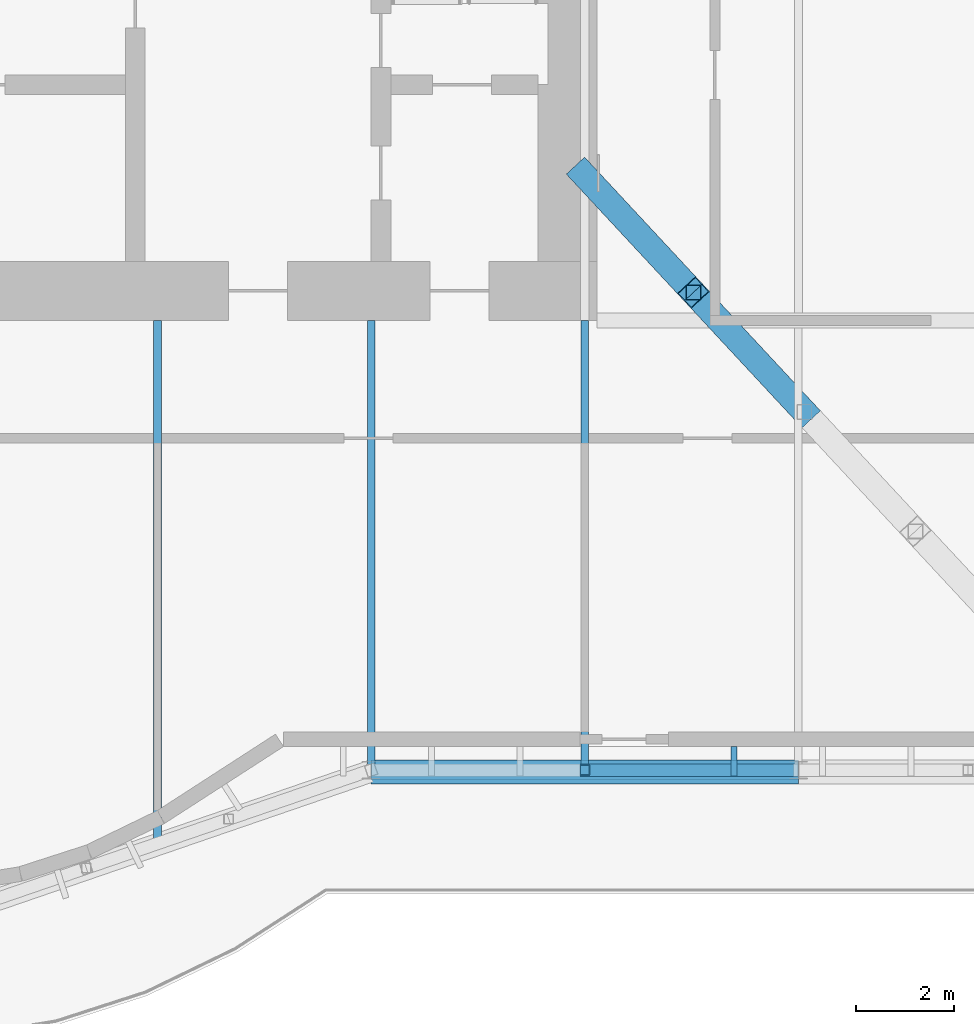
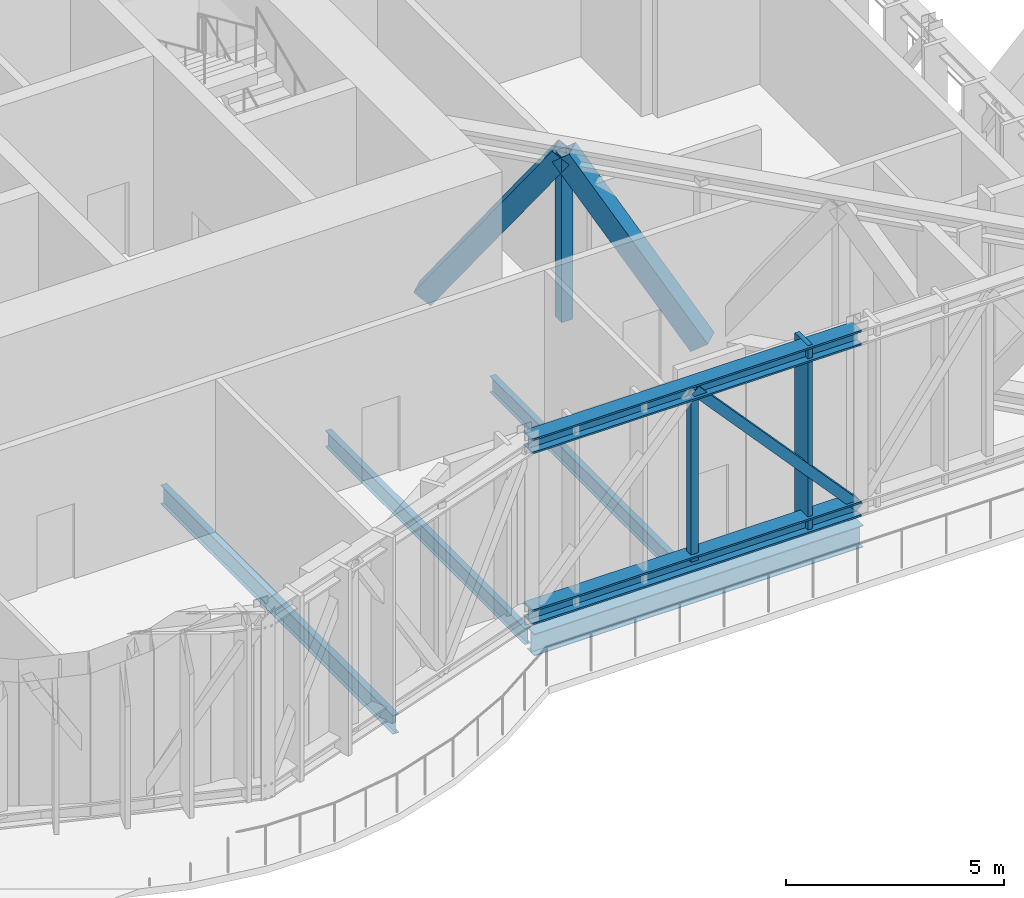
# One storey, part 7 of 20: 8 members, 4 beams, 1 element without a shape of its own.
"""IFC4 building model written with IfcOpenShell, lengths in metres."""

import ifcopenshell
import ifcopenshell.guid

model = None  # the IFC model being written
_history = None  # IfcOwnerHistory: only IFC2X3 demands one
_inside = {}  # id of a spatial element -> (the spatial element, [elements in it])
_under = {}  # id of a project, library or spatial element -> (it, [spatial elements below it])
_declared = {}  # id of a project -> (the project, [libraries it declares])
_typed = {}  # id of a type object -> (the type object, [elements of that type])
_made_of = {}  # id of a material, layer set ... -> (it, [elements and type objects made of it])


def new_model(schema):
    """Start an empty IFC model of exactly this schema.

    Asked for "IFC4X3", IfcOpenShell would pick the latest addendum, in which some entities
    have other attributes; the version numbers below select the first issue.
    IFC2X3 requires an IfcOwnerHistory on every rooted entity: one is made here for all.
    """
    global model, _history
    if schema == "IFC4X3":
        model = ifcopenshell.file(schema_version=(4, 3, 0, 0))
    else:
        model = ifcopenshell.file(schema=schema)
    _inside.clear()
    _under.clear()
    _declared.clear()
    _typed.clear()
    _made_of.clear()
    _history = None
    if model.schema == "IFC2X3":
        org = make("IfcOrganization", Name="unknown")
        user = make(
            "IfcPersonAndOrganization",
            ThePerson=make("IfcPerson", FamilyName="unknown"),
            TheOrganization=org,
        )
        app = make(
            "IfcApplication",
            ApplicationDeveloper=org,
            Version="unknown",
            ApplicationFullName="unknown",
            ApplicationIdentifier="unknown",
        )
        _history = make(
            "IfcOwnerHistory",
            OwningUser=user,
            OwningApplication=app,
            ChangeAction="ADDED",
            CreationDate=0,
        )
    return model


def make(cls, **values):
    """One entity of the class cls with the attributes given. An attribute that is None is left unset."""
    return model.create_entity(
        cls, **{name: value for name, value in values.items() if value is not None}
    )


def rooted(cls, **values):
    """An entity with a GlobalId (a new one), such as an element, a storey or a relation."""
    return make(cls, GlobalId=ifcopenshell.guid.new(), OwnerHistory=_history, **values)


def si_unit(unit_type, name, prefix=None):
    """IfcSIUnit, for example si_unit("LENGTHUNIT", "METRE", prefix="MILLI")."""
    return make("IfcSIUnit", UnitType=unit_type, Prefix=prefix, Name=name)


def assignment(units):
    """IfcUnitAssignment: the units of a project."""
    return None if units is None else make("IfcUnitAssignment", Units=units)


def point(xyz):
    """IfcCartesianPoint."""
    return None if xyz is None else make("IfcCartesianPoint", Coordinates=xyz)


def direction(xyz):
    """IfcDirection."""
    return None if xyz is None else make("IfcDirection", DirectionRatios=xyz)


def frame(location, z_axis=None, x_axis=None):
    """IfcAxis2Placement3D, a coordinate frame: its origin and axes. An axis left out is left unset."""
    return make(
        "IfcAxis2Placement3D",
        Location=point(location),
        Axis=direction(z_axis),
        RefDirection=direction(x_axis),
    )


def frame_2d(location, x_axis=None):
    """IfcAxis2Placement2D, a coordinate frame in the plane: its origin and x axis."""
    return make(
        "IfcAxis2Placement2D", Location=point(location), RefDirection=direction(x_axis)
    )


def origin():
    """The frame at (0, 0, 0) with its axes left unset."""
    return frame((0.0, 0.0, 0.0))


def origin_2d():
    """The frame at (0, 0) in the plane with its x axis left unset."""
    return frame_2d((0.0, 0.0))


def place(relative_to, where):
    """IfcLocalPlacement: puts the frame where relative to a parent placement (None: the world)."""
    return make(
        "IfcLocalPlacement", PlacementRelTo=relative_to, RelativePlacement=where
    )


def context(
    kind, dimensions, precision=None, world=None, true_north=None, identifier=None
):
    """IfcGeometricRepresentationContext, for example the 3D "Model" context."""
    return make(
        "IfcGeometricRepresentationContext",
        ContextIdentifier=identifier,
        ContextType=kind,
        CoordinateSpaceDimension=dimensions,
        Precision=precision,
        WorldCoordinateSystem=world,
        TrueNorth=true_north,
    )


def subcontext(parent, identifier, kind, view, scale=None):
    """IfcGeometricRepresentationSubContext, for example "Body" below "Model"."""
    return make(
        "IfcGeometricRepresentationSubContext",
        ContextIdentifier=identifier,
        ContextType=kind,
        ParentContext=parent,
        TargetScale=scale,
        TargetView=view,
    )


def project(units=None, contexts=None):
    """IfcProject with its units and contexts."""
    return rooted(
        "IfcProject",
        Name="project",
        RepresentationContexts=contexts,
        UnitsInContext=assignment(units),
    )


def spatial(cls, under=None, at=None, **own):
    """A site, building, storey or space (cls), placed at a placement, below another one or the project."""
    s = rooted(cls, ObjectPlacement=at, **own)
    if under is not None:
        _under.setdefault(under.id(), (under, []))[1].append(s)
    return s


def profile(cls, at=None, kind="AREA", **sizes):
    """A parametric profile (cls). Its sizes go by their IFC names, for example OverallWidth=200.0."""
    return make(cls, ProfileType=kind, Position=at, **sizes)


def rectangle(**sizes):
    """IfcRectangleProfileDef."""
    return profile("IfcRectangleProfileDef", **sizes)


def hollow_rectangle(**sizes):
    """IfcRectangleHollowProfileDef."""
    return profile("IfcRectangleHollowProfileDef", **sizes)


def i_section(**sizes):
    """IfcIShapeProfileDef."""
    return profile("IfcIShapeProfileDef", **sizes)


def extrude(swept, where, along, depth):
    """IfcExtrudedAreaSolid: the profile swept, set in the frame where, extruded along a direction by depth."""
    return make(
        "IfcExtrudedAreaSolid",
        SweptArea=swept,
        Position=where,
        ExtrudedDirection=direction(along),
        Depth=depth,
    )


def shape(context_of_items, identifier, shape_type, items):
    """IfcShapeRepresentation: the items that make up one representation, for example the "Body"."""
    return make(
        "IfcShapeRepresentation",
        ContextOfItems=context_of_items,
        RepresentationIdentifier=identifier,
        RepresentationType=shape_type,
        Items=items,
    )


def material(Name=None, Category=None):
    """IfcMaterial."""
    return make("IfcMaterial", Name=Name, Category=Category)


def material_profile(
    of_material, cross_section, Name=None, Category=None, Priority=None
):
    """IfcMaterialProfile: a cross section and its material."""
    return make(
        "IfcMaterialProfile",
        Name=Name,
        Material=of_material,
        Profile=cross_section,
        Priority=Priority,
        Category=Category,
    )


def profile_set(profiles, Name=None, composite=None):
    """IfcMaterialProfileSet."""
    return make(
        "IfcMaterialProfileSet",
        Name=Name,
        MaterialProfiles=profiles,
        CompositeProfile=composite,
    )


def made_of(thing, what):
    """Note that an element or type object is made of a material, layer set ...; save() writes the relation."""
    if what is not None:
        _made_of.setdefault(what.id(), (what, []))[1].append(thing)
    return thing


def type_object(cls, material=None, **own):
    """A type object (cls), such as IfcWallType, which elements share."""
    return made_of(rooted(cls, **own), material)


def element(
    cls,
    number,
    at=None,
    inside=None,
    cuts=None,
    type_object=None,
    material=None,
    context=None,
    identifier="Body",
    shape_type=None,
    held_by="IfcProductDefinitionShape",
    body=None,
    shapes=None,
    **own,
):
    """One element of the class cls, such as IfcWall. Its Tag is "e" and its number.

    at: its placement. inside: the storey or other place that contains it. cuts: it is an
    opening in that element (IfcRelVoidsElement). A single representation is given by context,
    identifier, shape_type and body (its items); several are given by shapes. held_by: the class
    of the entity that holds the representations. save() writes the other relations.
    """
    e = rooted(cls, Tag="e%d" % number, ObjectPlacement=at, **own)
    if body is not None:
        shapes = [shape(context, identifier, shape_type, body)]
    if shapes is not None:
        e.Representation = make(held_by, Representations=shapes)
    if inside is not None:
        _inside.setdefault(inside.id(), (inside, []))[1].append(e)
    if cuts is not None:
        rooted(
            "IfcRelVoidsElement", RelatingBuildingElement=cuts, RelatedOpeningElement=e
        )
    if type_object is not None:
        _typed.setdefault(type_object.id(), (type_object, []))[1].append(e)
    return made_of(e, material)


def aggregate(whole, parts):
    """IfcRelAggregates: a whole, such as a stair, and the parts it consists of."""
    return rooted("IfcRelAggregates", RelatingObject=whole, RelatedObjects=parts)


def save(model, path):
    """Write the relations noted so far, then the file.

    IfcRelAggregates (storeys below a building ...), IfcRelContainedInSpatialStructure (elements
    in a storey), IfcRelDefinesByType, IfcRelAssociatesMaterial and IfcRelDeclares: one each for
    every whole, place, type object, material and project.
    """
    for whole, parts in _under.values():
        aggregate(whole, parts)
    for where, things in _inside.values():
        rooted(
            "IfcRelContainedInSpatialStructure",
            RelatedElements=things,
            RelatingStructure=where,
        )
    for kind, things in _typed.values():
        rooted("IfcRelDefinesByType", RelatedObjects=things, RelatingType=kind)
    for what, things in _made_of.values():
        rooted("IfcRelAssociatesMaterial", RelatedObjects=things, RelatingMaterial=what)
    for by, libraries in _declared.values():
        rooted("IfcRelDeclares", RelatingContext=by, RelatedDefinitions=libraries)
    model.write(path)


model = new_model("IFC4")

# Units and contexts
model_context = context("Model", 3, precision=1e-05, world=origin(), true_north=direction((0.0, 1.0)))
body_context = subcontext(model_context, "Body", "Model", "MODEL_VIEW")
ifc_project = project(units=[si_unit("LENGTHUNIT", "METRE"), si_unit("AREAUNIT", "SQUARE_METRE"), si_unit("VOLUMEUNIT", "CUBIC_METRE"), si_unit("PLANEANGLEUNIT", "RADIAN"), si_unit("MASSUNIT", "GRAM", prefix="KILO")], contexts=[model_context])

# Site, building, storey
site_placement = place(None, origin())
site = spatial("IfcSite", under=ifc_project, at=site_placement, CompositionType="ELEMENT")
building_placement = place(site_placement, origin())
building = spatial("IfcBuilding", under=site, at=building_placement, Name="Bicima Exchange Tower", CompositionType="ELEMENT")
storey_placement = place(building_placement, frame((0.0, 0.0, 342.5)))
storey = spatial("IfcBuildingStorey", under=building, at=storey_placement, Name="L77", CompositionType="ELEMENT", Elevation=342.5)

# Curtain wall, member
ifc_material_1 = material(Name="Anodised bronze aluminium", Category="aluminium")
curtain_wall_type = type_object("IfcCurtainWallType", Name="Band blade screen", PredefinedType="NOTDEFINED", material=ifc_material_1)
curtain_wall_placement = place(storey_placement, origin())
curtain_wall = element("IfcCurtainWall", 1, at=curtain_wall_placement, inside=storey, type_object=curtain_wall_type, Name="Band blade screen L77", PredefinedType="NOTDEFINED")
ifc_material_profile_1 = material_profile(ifc_material_1, rectangle(XDim=0.60009765625, YDim=0.1201171875, at=origin_2d()))
ifc_profile_set_1 = profile_set([ifc_material_profile_1], Name="Anodised bronze aluminium")
member_type_1 = type_object("IfcMemberType", Name="Band blade fin 600 x 120", PredefinedType="USERDEFINED", material=ifc_profile_set_1)
member_1_placement = place(storey_placement, frame((24.787109375, -21.97607421875, 0.0), z_axis=(0.0, 0.0, 1.0), x_axis=(0.0, 1.0, 0.0)))
member_1 = element("IfcMember", 2, at=member_1_placement, type_object=member_type_1, Name="Band blade fin 48", ObjectType="FIN", PredefinedType="USERDEFINED", context=body_context, shape_type="SweptSolid", body=[
    extrude(rectangle(XDim=0.60009765625, YDim=0.1201171875, at=origin_2d()), origin(), (0.0, 0.0, 1.0), 5.199951171875),
])
aggregate(curtain_wall, [member_1])

# Members
ifc_material_2 = material(Name="Steel ASTM A992 Gr 50", Category="steel")
ifc_material_profile_2 = material_profile(ifc_material_2, i_section(OverallWidth=0.406494140625, OverallDepth=0.41650390625, WebThickness=0.030029296875, FlangeThickness=0.048095703125, at=origin_2d()))
ifc_profile_set_2 = profile_set([ifc_material_profile_2], Name="Steel ASTM A992 Gr 50")
member_type_2 = type_object("IfcMemberType", Name="Belt truss chord W14x257", PredefinedType="CHORD", material=ifc_profile_set_2)
for number, where, z_axis, x_axis, name in (
    (3, (17.39990234375, -22.154052734375, 4.99169921875), (1.0, 0.0, 0.0), (0.0, 1.0, 0.0), "Top chord"),
    (4, (17.39990234375, -22.154052734375, 0.208251953125), (1.0, 0.0, 0.0), (0.0, 1.0, 0.0), "Bottom chord"),
):
    element("IfcMember", number, at=place(storey_placement, frame(where, z_axis=z_axis, x_axis=x_axis)), inside=storey, type_object=member_type_2, Name=name, PredefinedType="CHORD", context=body_context, shape_type="SweptSolid", body=[
        extrude(i_section(OverallWidth=0.406494140625, OverallDepth=0.41650390625, WebThickness=0.030029296875, FlangeThickness=0.048095703125, at=origin_2d()), origin(), (0.0, 0.0, 1.0), 8.7001953125),
    ])
ifc_material_3 = material(Name="Steel ASTM A572 Gr 50", Category="steel")
ifc_material_profile_3 = material_profile(ifc_material_3, hollow_rectangle(XDim=0.25390625, YDim=0.25390625, WallThickness=0.01171875, at=origin_2d()))
ifc_profile_set_3 = profile_set([ifc_material_profile_3], Name="Steel ASTM A572 Gr 50")
member_type_3 = type_object("IfcMemberType", Name="Belt truss diagonal HSS10x10x1/2", PredefinedType="STRUT", material=ifc_profile_set_3)
member_2_placement = place(storey_placement, frame((21.75, -22.154052734375, 4.99169921875), z_axis=(0.672800585692, 0.0, -0.739823878969), x_axis=(0.0, 1.0, 0.0)))
element("IfcMember", 5, at=member_2_placement, inside=storey, type_object=member_type_3, Name="Truss diagonal", PredefinedType="STRUT", context=body_context, shape_type="SweptSolid", body=[
    extrude(hollow_rectangle(XDim=0.25390625, YDim=0.25390625, WallThickness=0.01171875, at=origin_2d()), origin(), (0.0, 0.0, 1.0), 6.465576171875),
])
ifc_material_profile_4 = material_profile(ifc_material_3, hollow_rectangle(XDim=0.203125, YDim=0.203125, WallThickness=0.01171875, at=origin_2d()))
ifc_profile_set_4 = profile_set([ifc_material_profile_4], Name="Steel ASTM A572 Gr 50")
member_type_4 = type_object("IfcMemberType", Name="Belt truss post HSS8x8x1/2", PredefinedType="POST", material=ifc_profile_set_4)
member_3_placement = place(storey_placement, frame((21.75, -22.154052734375, 0.208251953125), z_axis=(0.0, 0.0, 1.0), x_axis=(1.0, 0.0, 0.0)))
element("IfcMember", 6, at=member_3_placement, inside=storey, type_object=member_type_4, Name="Truss post", PredefinedType="POST", context=body_context, shape_type="SweptSolid", body=[
    extrude(hollow_rectangle(XDim=0.203125, YDim=0.203125, WallThickness=0.01171875, at=origin_2d()), origin(), (0.0, 0.0, 1.0), 4.783447265625),
])

# Beams
ifc_material_profile_5 = material_profile(ifc_material_2, i_section(OverallWidth=0.15283203125, OverallDepth=0.45458984375, WebThickness=0.008056640625, FlangeThickness=0.013427734375, at=origin_2d()))
ifc_profile_set_5 = profile_set([ifc_material_profile_5], Name="Steel ASTM A992 Gr 50")
beam_type_1 = type_object("IfcBeamType", Name="Floor beam W18x40", PredefinedType="JOIST", material=ifc_profile_set_5)
beam_1_placement = place(storey_placement, frame((17.39990234375, -13.0, -0.42724609375), z_axis=(0.0, -1.0, 0.0), x_axis=(1.0, 0.0, 0.0)))
element("IfcBeam", 7, at=beam_1_placement, inside=storey, type_object=beam_type_1, Name="Floor beam", PredefinedType="JOIST", context=body_context, shape_type="SweptSolid", body=[
    extrude(i_section(OverallWidth=0.15283203125, OverallDepth=0.45458984375, WebThickness=0.008056640625, FlangeThickness=0.013427734375, at=origin_2d()), origin(), (0.0, 0.0, 1.0), 9.140380859375),
])
beam_2_placement = place(storey_placement, frame((21.75, -13.0, -0.42724609375), z_axis=(0.0, -1.0, 0.0), x_axis=(1.0, 0.0, 0.0)))
element("IfcBeam", 8, at=beam_2_placement, inside=storey, type_object=beam_type_1, Name="Floor beam", PredefinedType="JOIST", context=body_context, shape_type="SweptSolid", body=[
    extrude(i_section(OverallWidth=0.15283203125, OverallDepth=0.45458984375, WebThickness=0.008056640625, FlangeThickness=0.013427734375, at=origin_2d()), origin(), (0.0, 0.0, 1.0), 9.11328125),
])
ifc_material_profile_6 = material_profile(ifc_material_2, i_section(OverallWidth=0.165771484375, OverallDepth=0.5283203125, WebThickness=0.009765625, FlangeThickness=0.013671875, at=origin_2d()))
ifc_profile_set_6 = profile_set([ifc_material_profile_6], Name="Steel ASTM A992 Gr 50")
beam_type_2 = type_object("IfcBeamType", Name="Floor beam W21x50", PredefinedType="JOIST", material=ifc_profile_set_6)
beam_3_placement = place(storey_placement, frame((13.050048828125, -13.0, -0.464111328125), z_axis=(0.0, -1.0, 0.0), x_axis=(1.0, 0.0, 0.0)))
element("IfcBeam", 9, at=beam_3_placement, inside=storey, type_object=beam_type_2, Name="Floor beam", PredefinedType="JOIST", context=body_context, shape_type="SweptSolid", body=[
    extrude(i_section(OverallWidth=0.165771484375, OverallDepth=0.5283203125, WebThickness=0.009765625, FlangeThickness=0.013671875, at=origin_2d()), origin(), (0.0, 0.0, 1.0), 10.635986328125),
])
ifc_material_profile_7 = material_profile(ifc_material_2, i_section(OverallWidth=0.3251953125, OverallDepth=0.612060546875, WebThickness=0.0126953125, FlangeThickness=0.01904296875, at=origin_2d()))
ifc_profile_set_7 = profile_set([ifc_material_profile_7], Name="Steel ASTM A992 Gr 50")
beam_type_3 = type_object("IfcBeamType", Name="Front girder W24x104", PredefinedType="BEAM", material=ifc_profile_set_7)
beam_4_placement = place(storey_placement, frame((17.39990234375, -22.27587890625, -0.506103515625), z_axis=(1.0, 0.0, 0.0), x_axis=(0.0, 1.0, 0.0)))
element("IfcBeam", 10, at=beam_4_placement, inside=storey, type_object=beam_type_3, Name="Front girder", PredefinedType="BEAM", context=body_context, shape_type="SweptSolid", body=[
    extrude(i_section(OverallWidth=0.3251953125, OverallDepth=0.612060546875, WebThickness=0.0126953125, FlangeThickness=0.01904296875, at=origin_2d()), origin(), (0.0, 0.0, 1.0), 8.7001953125),
])

# Members
ifc_material_profile_8 = material_profile(ifc_material_3, hollow_rectangle(XDim=0.508056640625, YDim=0.508056640625, WallThickness=0.017822265625, at=origin_2d()))
ifc_profile_set_8 = profile_set([ifc_material_profile_8], Name="Steel ASTM A572 Gr 50")
member_type_5 = type_object("IfcMemberType", Name="Outrigger truss diagonal HSS20x20x3/4", PredefinedType="STRUT", material=ifc_profile_set_8)
member_4_placement = place(storey_placement, frame((21.699951171875, -10.0, 0.284423828125), z_axis=(0.396651202403, -0.426645351877, 0.812798601964), x_axis=(0.732382057172, 0.680893914155, 0.0)))
element("IfcMember", 11, at=member_4_placement, inside=storey, type_object=member_type_5, Name="Truss diagonal", PredefinedType="STRUT", context=body_context, shape_type="SweptSolid", body=[
    extrude(hollow_rectangle(XDim=0.508056640625, YDim=0.508056640625, WallThickness=0.017822265625, at=origin_2d()), origin(), (0.0, 0.0, 1.0), 5.69775390625),
])
member_5_placement = place(storey_placement, frame((23.9599609375, -12.430908203125, 4.91552734375), z_axis=(0.396658453511, -0.426610301735, -0.812813460587), x_axis=(0.732347953339, 0.680930595024, 0.0)))
element("IfcMember", 12, at=member_5_placement, inside=storey, type_object=member_type_5, Name="Truss diagonal", PredefinedType="STRUT", context=body_context, shape_type="SweptSolid", body=[
    extrude(hollow_rectangle(XDim=0.508056640625, YDim=0.508056640625, WallThickness=0.017822265625, at=origin_2d()), origin(), (0.0, 0.0, 1.0), 5.697509765625),
])
ifc_material_profile_9 = material_profile(ifc_material_3, hollow_rectangle(XDim=0.3046875, YDim=0.3046875, WallThickness=0.01171875, at=origin_2d()))
ifc_profile_set_9 = profile_set([ifc_material_profile_9], Name="Steel ASTM A572 Gr 50")
member_type_6 = type_object("IfcMemberType", Name="Outrigger truss post HSS12x12x1/2", PredefinedType="POST", material=ifc_profile_set_9)
member_6_placement = place(storey_placement, frame((23.9599609375, -12.430908203125, 0.284423828125), z_axis=(0.0, 0.0, 1.0), x_axis=(1.0, 0.0, 0.0)))
element("IfcMember", 13, at=member_6_placement, inside=storey, type_object=member_type_6, Name="Truss post", PredefinedType="POST", context=body_context, shape_type="SweptSolid", body=[
    extrude(hollow_rectangle(XDim=0.3046875, YDim=0.3046875, WallThickness=0.01171875, at=origin_2d()), origin(), (0.0, 0.0, 1.0), 4.631103515625),
])

save(model, "model.ifc")
